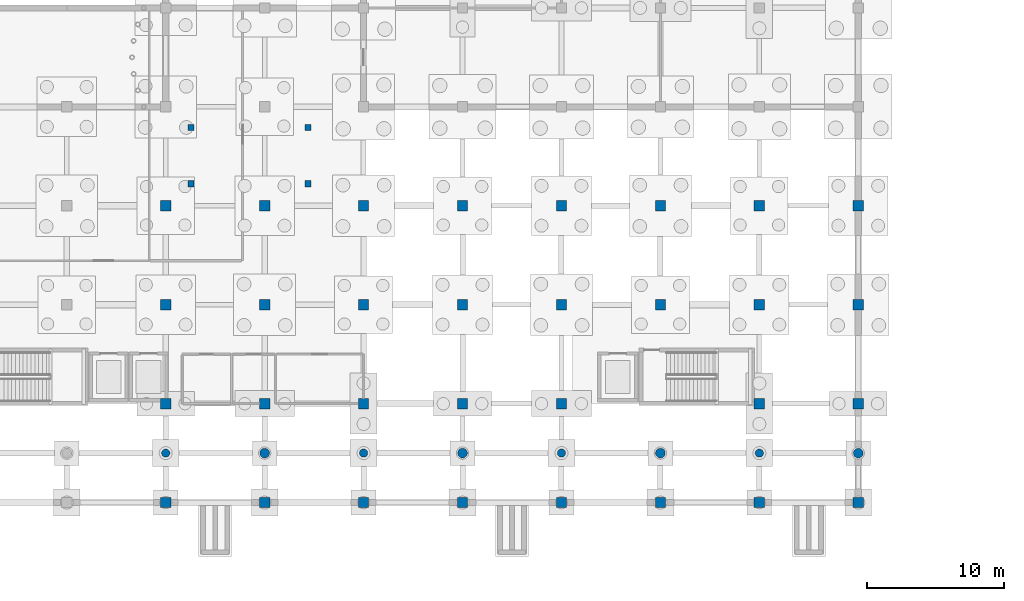
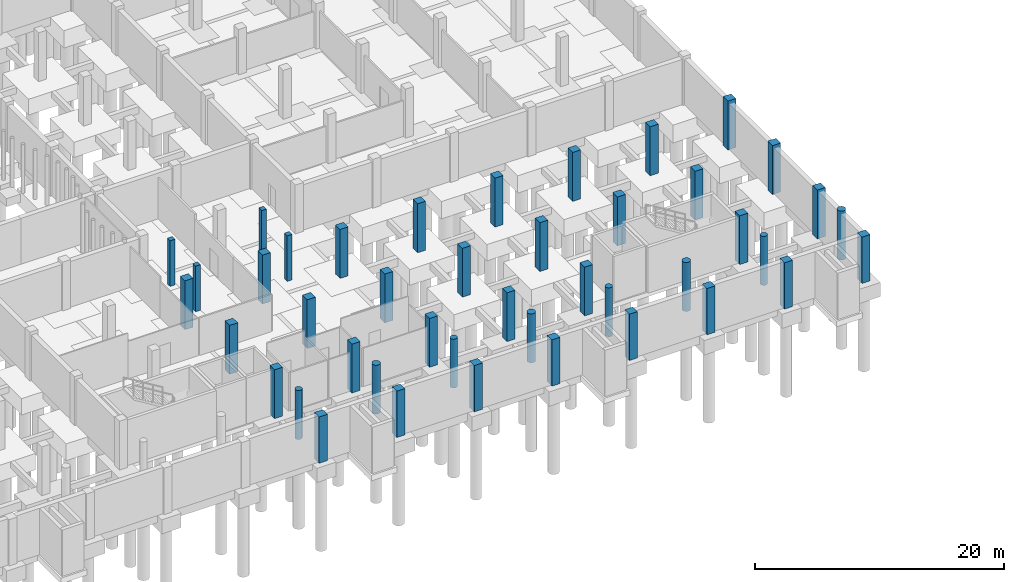
# One storey, part 19 of 35: 43 columns.
"""IFC4 building model written with IfcOpenShell, lengths in metres."""

from ifc_helpers import new_model, si_unit, direction, frame, origin, origin_2d, place, context, subcontext, project, spatial, rectangle, circle, extrude, material, material_profile, profile_set, type_object, element, save


model = new_model("IFC4")

# Units and contexts
model_context = context("Model", 3, precision=1e-05, world=origin(), true_north=direction((0.0, 1.0)))
body_context = subcontext(model_context, "Body", "Model", "MODEL_VIEW")
ifc_project = project(units=[si_unit("LENGTHUNIT", "METRE"), si_unit("AREAUNIT", "SQUARE_METRE"), si_unit("VOLUMEUNIT", "CUBIC_METRE"), si_unit("PLANEANGLEUNIT", "RADIAN"), si_unit("MASSUNIT", "GRAM", prefix="KILO"), si_unit("THERMODYNAMICTEMPERATUREUNIT", "KELVIN"), si_unit("POWERUNIT", "WATT")], contexts=[model_context])

# Site, building, storey
site_placement = place(None, origin())
site = spatial("IfcSite", under=ifc_project, at=site_placement, CompositionType="ELEMENT")
building_placement = place(site_placement, origin())
building = spatial("IfcBuilding", under=site, at=building_placement, Name="Kaldorven Railside Theatre", CompositionType="ELEMENT")
storey_placement = place(building_placement, frame((0.0, 0.0, -4.800048828125)))
storey = spatial("IfcBuildingStorey", under=building, at=storey_placement, Name="B1", CompositionType="ELEMENT", Elevation=-4.800048828125)

# Columns
ifc_material_1 = material(Name="Architectural concrete C40/50", Category="concrete")
ifc_material_profile_1 = material_profile(ifc_material_1, circle(Radius=0.300048828125, at=origin_2d()), Name="RC D600")
ifc_profile_set_1 = profile_set([ifc_material_profile_1], Name="Architectural concrete C40/50")
column_type_1 = type_object("IfcColumnType", Name="COL-CIRC600", PredefinedType="PILASTER", material=ifc_profile_set_1)
for number, where, z_axis, x_axis, name in (
    (1, (72.800048828125, 15.60009765625, 0.0), (0.0, 0.0, 1.0), (1.0, 0.0, 0.0), "B1 Column CG-B1-072-015"),
    (2, (87.199951171875, 15.60009765625, 0.0), (0.0, 0.0, 1.0), (1.0, 0.0, 0.0), "B1 Column CG-B1-087-015"),
    (3, (101.60009765625, 15.60009765625, 0.0), (0.0, 0.0, 1.0), (1.0, 0.0, 0.0), "B1 Column CG-B1-101-015"),
    (4, (116.0, 15.60009765625, 0.0), (0.0, 0.0, 1.0), (1.0, 0.0, 0.0), "B1 Column CG-B1-116-015"),
):
    element("IfcColumn", number, at=place(storey_placement, frame(where, z_axis=z_axis, x_axis=x_axis)), inside=storey, type_object=column_type_1, Name=name, PredefinedType="PILASTER", context=body_context, shape_type="SweptSolid", body=[
        extrude(circle(Radius=0.300048828125, at=origin_2d()), origin(), (0.0, 0.0, 1.0), 4.800048828125),
    ])
ifc_material_profile_2 = material_profile(ifc_material_1, circle(Radius=0.35009765625, at=origin_2d()), Name="RC D700")
ifc_profile_set_2 = profile_set([ifc_material_profile_2], Name="Architectural concrete C40/50")
column_type_2 = type_object("IfcColumnType", Name="COL-CIRC700", PredefinedType="PILASTER", material=ifc_profile_set_2)
for number, where, z_axis, x_axis, name in (
    (5, (80.0, 15.60009765625, 0.0), (0.0, 0.0, 1.0), (1.0, 0.0, 0.0), "B1 Column CG-B1-080-015"),
    (6, (94.39990234375, 15.60009765625, 0.0), (0.0, 0.0, 1.0), (1.0, 0.0, 0.0), "B1 Column CG-B1-094-015"),
    (7, (108.800048828125, 15.60009765625, 0.0), (0.0, 0.0, 1.0), (1.0, 0.0, 0.0), "B1 Column CG-B1-108-015"),
    (8, (123.199951171875, 15.60009765625, 0.0), (0.0, 0.0, 1.0), (1.0, 0.0, 0.0), "B1 Column CG-B1-123-015"),
):
    element("IfcColumn", number, at=place(storey_placement, frame(where, z_axis=z_axis, x_axis=x_axis)), inside=storey, type_object=column_type_2, Name=name, PredefinedType="PILASTER", context=body_context, shape_type="SweptSolid", body=[
        extrude(circle(Radius=0.35009765625, at=origin_2d()), origin(), (0.0, 0.0, 1.0), 4.800048828125),
    ])
ifc_material_2 = material(Name="Concrete C40/50", Category="concrete")
ifc_material_profile_3 = material_profile(ifc_material_2, rectangle(XDim=0.449951171875, YDim=0.449951171875, at=origin_2d()), Name="RC 450x450")
ifc_profile_set_3 = profile_set([ifc_material_profile_3], Name="Concrete C40/50")
column_type_3 = type_object("IfcColumnType", Name="COL-RC450", PredefinedType="COLUMN", material=ifc_profile_set_3)
for number, where, z_axis, x_axis, name in (
    (9, (74.64990234375, 35.199951171875, 0.0), (0.0, 0.0, 1.0), (1.0, 0.0, 0.0), "Core ST-07 Substructure Boundary Column CCR-017"),
    (10, (83.14990234375, 35.199951171875, 0.0), (0.0, 0.0, 1.0), (1.0, 0.0, 0.0), "Core ST-07 Substructure Boundary Column CCR-018"),
    (11, (83.14990234375, 39.300048828125, 0.0), (0.0, 0.0, 1.0), (1.0, 0.0, 0.0), "Core ST-07 Substructure Boundary Column CCR-019"),
    (12, (74.64990234375, 39.300048828125, 0.0), (0.0, 0.0, 1.0), (1.0, 0.0, 0.0), "Core ST-07 Substructure Boundary Column CCR-020"),
):
    element("IfcColumn", number, at=place(storey_placement, frame(where, z_axis=z_axis, x_axis=x_axis)), inside=storey, type_object=column_type_3, Name=name, PredefinedType="COLUMN", context=body_context, shape_type="SweptSolid", body=[
        extrude(rectangle(XDim=0.449951171875, YDim=0.449951171875, at=origin_2d()), origin(), (0.0, 0.0, 1.0), 4.47998046875),
    ])
ifc_material_profile_4 = material_profile(ifc_material_2, rectangle(XDim=0.75, YDim=0.75, at=origin_2d()), Name="RC 750x750")
ifc_profile_set_4 = profile_set([ifc_material_profile_4], Name="Concrete C40/50")
column_type_4 = type_object("IfcColumnType", Name="COL-RC750", PredefinedType="COLUMN", material=ifc_profile_set_4)
for number, where, z_axis, x_axis, name in (
    (13, (72.800048828125, 12.0, 0.0), (0.0, 0.0, 1.0), (1.0, 0.0, 0.0), "B1 Column CG-B1-072-012"),
    (14, (80.0, 12.0, 0.0), (0.0, 0.0, 1.0), (1.0, 0.0, 0.0), "B1 Column CG-B1-080-012"),
    (15, (87.199951171875, 12.0, 0.0), (0.0, 0.0, 1.0), (1.0, 0.0, 0.0), "B1 Column CG-B1-087-012"),
    (16, (94.39990234375, 12.0, 0.0), (0.0, 0.0, 1.0), (1.0, 0.0, 0.0), "B1 Column CG-B1-094-012"),
    (17, (101.60009765625, 12.0, 0.0), (0.0, 0.0, 1.0), (1.0, 0.0, 0.0), "B1 Column CG-B1-101-012"),
    (18, (108.800048828125, 12.0, 0.0), (0.0, 0.0, 1.0), (1.0, 0.0, 0.0), "B1 Column CG-B1-108-012"),
    (19, (116.0, 12.0, 0.0), (0.0, 0.0, 1.0), (1.0, 0.0, 0.0), "B1 Column CG-B1-116-012"),
    (20, (123.199951171875, 12.0, 0.0), (0.0, 0.0, 1.0), (1.0, 0.0, 0.0), "B1 Column CG-B1-123-012"),
):
    element("IfcColumn", number, at=place(storey_placement, frame(where, z_axis=z_axis, x_axis=x_axis)), inside=storey, type_object=column_type_4, Name=name, PredefinedType="COLUMN", context=body_context, shape_type="SweptSolid", body=[
        extrude(rectangle(XDim=0.75, YDim=0.75, at=origin_2d()), origin(), (0.0, 0.0, 1.0), 4.550048828125),
    ])
for number, where, z_axis, x_axis, name in (
    (21, (72.800048828125, 19.199951171875, 0.0), (0.0, 0.0, 1.0), (1.0, 0.0, 0.0), "B1 Column CG-B1-072-019"),
    (22, (80.0, 19.199951171875, 0.0), (0.0, 0.0, 1.0), (0.0, 1.0, 0.0), "B1 Column CG-B1-080-019"),
    (23, (87.199951171875, 19.199951171875, 0.0), (0.0, 0.0, 1.0), (1.0, 0.0, 0.0), "B1 Column CG-B1-087-019"),
    (24, (94.39990234375, 19.199951171875, 0.0), (0.0, 0.0, 1.0), (0.0, 1.0, 0.0), "B1 Column CG-B1-094-019"),
    (25, (101.60009765625, 19.199951171875, 0.0), (0.0, 0.0, 1.0), (1.0, 0.0, 0.0), "B1 Column CG-B1-101-019"),
    (26, (116.0, 19.199951171875, 0.0), (0.0, 0.0, 1.0), (0.0, 1.0, 0.0), "B1 Column CG-B1-116-019"),
    (27, (123.199951171875, 19.199951171875, 0.0), (0.0, 0.0, 1.0), (1.0, 0.0, 0.0), "B1 Column CG-B1-123-019"),
    (28, (72.800048828125, 26.39990234375, 0.0), (0.0, 0.0, 1.0), (0.0, 1.0, 0.0), "B1 Column CG-B1-072-026"),
    (29, (80.0, 26.39990234375, 0.0), (0.0, 0.0, 1.0), (1.0, 0.0, 0.0), "B1 Column CG-B1-080-026"),
    (30, (87.199951171875, 26.39990234375, 0.0), (0.0, 0.0, 1.0), (0.0, 1.0, 0.0), "B1 Column CG-B1-087-026"),
    (31, (94.39990234375, 26.39990234375, 0.0), (0.0, 0.0, 1.0), (1.0, 0.0, 0.0), "B1 Column CG-B1-094-026"),
    (32, (101.60009765625, 26.39990234375, 0.0), (0.0, 0.0, 1.0), (1.0, 0.0, 0.0), "B1 Column CG-B1-101-026"),
    (33, (108.800048828125, 26.39990234375, 0.0), (0.0, 0.0, 1.0), (0.0, 1.0, 0.0), "B1 Column CG-B1-108-026"),
    (34, (116.0, 26.39990234375, 0.0), (0.0, 0.0, 1.0), (1.0, 0.0, 0.0), "B1 Column CG-B1-116-026"),
    (35, (123.199951171875, 26.39990234375, 0.0), (0.0, 0.0, 1.0), (0.0, 1.0, 0.0), "B1 Column CG-B1-123-026"),
    (36, (72.800048828125, 33.60009765625, 0.0), (0.0, 0.0, 1.0), (1.0, 0.0, 0.0), "B1 Column CG-B1-072-033"),
    (37, (80.0, 33.60009765625, 0.0), (0.0, 0.0, 1.0), (0.0, 1.0, 0.0), "B1 Column CG-B1-080-033"),
    (38, (87.199951171875, 33.60009765625, 0.0), (0.0, 0.0, 1.0), (1.0, 0.0, 0.0), "B1 Column CG-B1-087-033"),
    (39, (94.39990234375, 33.60009765625, 0.0), (0.0, 0.0, 1.0), (1.0, 0.0, 0.0), "B1 Column CG-B1-094-033"),
    (40, (101.60009765625, 33.60009765625, 0.0), (0.0, 0.0, 1.0), (0.0, 1.0, 0.0), "B1 Column CG-B1-101-033"),
    (41, (108.800048828125, 33.60009765625, 0.0), (0.0, 0.0, 1.0), (1.0, 0.0, 0.0), "B1 Column CG-B1-108-033"),
    (42, (116.0, 33.60009765625, 0.0), (0.0, 0.0, 1.0), (0.0, 1.0, 0.0), "B1 Column CG-B1-116-033"),
    (43, (123.199951171875, 33.60009765625, 0.0), (0.0, 0.0, 1.0), (1.0, 0.0, 0.0), "B1 Column CG-B1-123-033"),
):
    element("IfcColumn", number, at=place(storey_placement, frame(where, z_axis=z_axis, x_axis=x_axis)), inside=storey, type_object=column_type_4, Name=name, PredefinedType="COLUMN", context=body_context, shape_type="SweptSolid", body=[
        extrude(rectangle(XDim=0.75, YDim=0.75, at=origin_2d()), origin(), (0.0, 0.0, 1.0), 4.800048828125),
    ])

save(model, "model.ifc")
